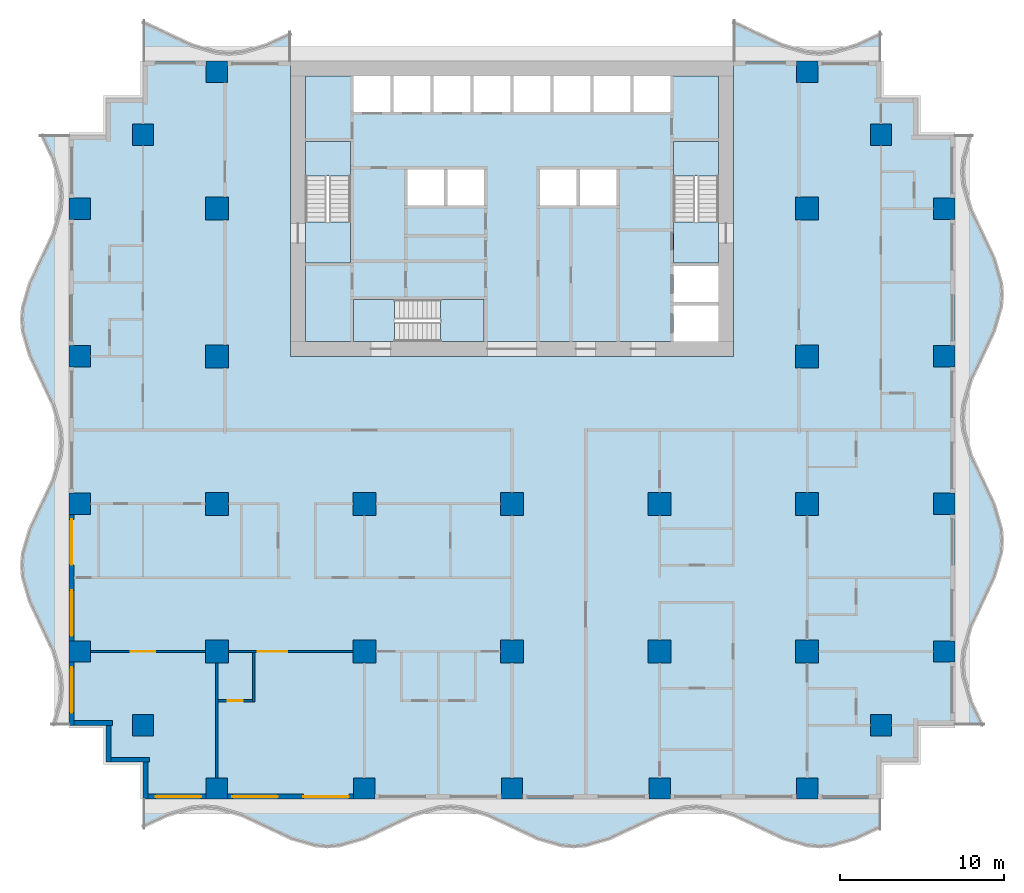
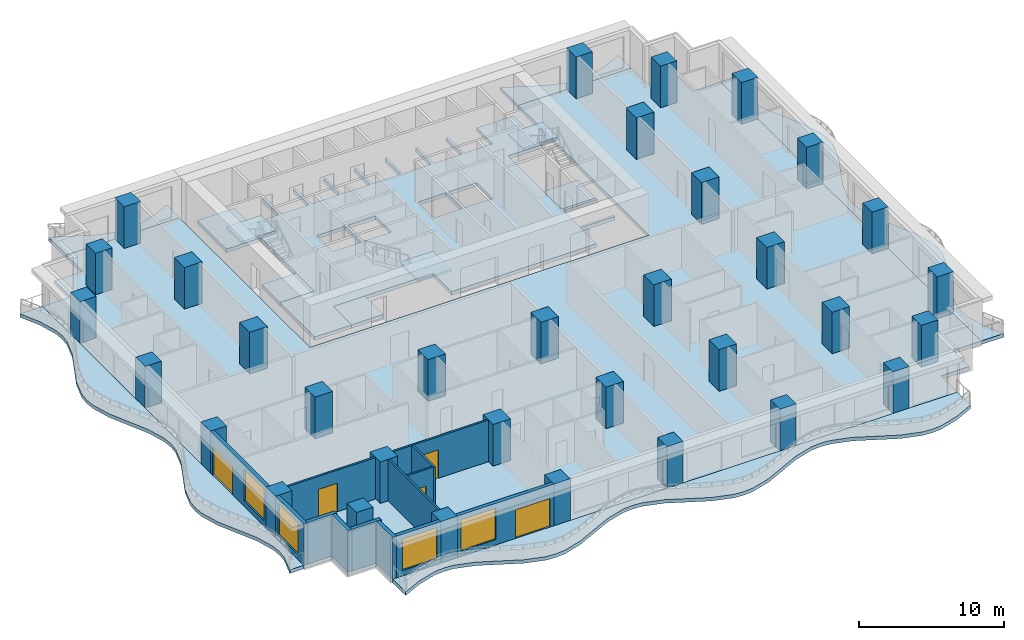
# One storey, part 1 of 13: 33 columns, 13 slabs, 13 walls, 5 doors, 4 windows, 9 openings, 3 elements without a shape of their own.
"""IFC4 building model written with IfcOpenShell, lengths in metres."""

from ifc_helpers import new_model, si_unit, direction, frame, frame_2d, origin, origin_2d, place, context, subcontext, project, spatial, polyline, rectangle, outline, extrude, material, layer, layer_set, material_profile, profile_set, type_object, element, fill, aggregate, save


model = new_model("IFC4")

# Units and contexts
model_context = context("Model", 3, precision=1e-05, world=origin(), true_north=direction((0.0, 1.0)))
body_context = subcontext(model_context, "Body", "Model", "MODEL_VIEW")
ifc_project = project(units=[si_unit("LENGTHUNIT", "METRE"), si_unit("AREAUNIT", "SQUARE_METRE"), si_unit("VOLUMEUNIT", "CUBIC_METRE"), si_unit("PLANEANGLEUNIT", "RADIAN"), si_unit("MASSUNIT", "GRAM", prefix="KILO")], contexts=[model_context])

# Site, building, storey
site_placement = place(None, origin())
site = spatial("IfcSite", under=ifc_project, at=site_placement, CompositionType="ELEMENT")
building_placement = place(site_placement, origin())
building = spatial("IfcBuilding", under=site, at=building_placement, Name="Orbiselva Terraces", CompositionType="ELEMENT")
storey_placement = place(building_placement, frame((0.0, 0.0, 92.2)))
storey = spatial("IfcBuildingStorey", under=building, at=storey_placement, Name="L23", CompositionType="ELEMENT", Elevation=92.2)

# Columns
ifc_material_1 = material(Name="Concrete C70/85", Category="concrete")
ifc_material_profile_1 = material_profile(ifc_material_1, rectangle(XDim=1.4, YDim=1.4, at=origin_2d()), Name="RC 1400x1400")
ifc_profile_set_1 = profile_set([ifc_material_profile_1], Name="Concrete C70/85")
column_type_1 = type_object("IfcColumnType", Name="COLUMN RC 1400x1400", PredefinedType="COLUMN", material=ifc_profile_set_1)
for number, where, z_axis, x_axis, name in (
    (1, (-18.0, -13.5, 0.0), (0.0, 0.0, 1.0), (1.0, 0.0, 0.0), "Column L23-01"),
    (2, (-18.0, -4.5, 0.0), (0.0, 0.0, 1.0), (1.0, 0.0, 0.0), "Column L23-03"),
    (3, (-18.0, 13.5, 0.0), (0.0, 0.0, 1.0), (1.0, 0.0, 0.0), "Column L23-04"),
    (4, (-18.0, 4.5, 0.0), (0.0, 0.0, 1.0), (1.0, 0.0, 0.0), "Column L23-06"),
    (5, (-9.0, -13.5, 0.0), (0.0, 0.0, 1.0), (1.0, 0.0, 0.0), "Column L23-13"),
    (6, (-9.0, -4.5, 0.0), (0.0, 0.0, 1.0), (1.0, 0.0, 0.0), "Column L23-15"),
    (7, (0.0, -13.5, 0.0), (0.0, 0.0, 1.0), (1.0, 0.0, 0.0), "Column L23-16"),
    (8, (0.0, -4.5, 0.0), (0.0, 0.0, 1.0), (1.0, 0.0, 0.0), "Column L23-18"),
    (9, (18.0, -13.5, 0.0), (0.0, 0.0, 1.0), (1.0, 0.0, 0.0), "Column L23-19"),
    (10, (18.0, -4.5, 0.0), (0.0, 0.0, 1.0), (1.0, 0.0, 0.0), "Column L23-21"),
    (11, (18.0, 13.5, 0.0), (0.0, 0.0, 1.0), (1.0, 0.0, 0.0), "Column L23-22"),
    (12, (18.0, 4.5, 0.0), (0.0, 0.0, 1.0), (1.0, 0.0, 0.0), "Column L23-24"),
    (13, (9.0, -13.5, 0.0), (0.0, 0.0, 1.0), (1.0, 0.0, 0.0), "Column L23-31"),
    (14, (9.0, -4.5, 0.0), (0.0, 0.0, 1.0), (1.0, 0.0, 0.0), "Column L23-33"),
):
    element("IfcColumn", number, at=place(storey_placement, frame(where, z_axis=z_axis, x_axis=x_axis)), inside=storey, type_object=column_type_1, Name=name, PredefinedType="COLUMN", context=body_context, shape_type="SweptSolid", body=[
        extrude(rectangle(XDim=1.4, YDim=1.4, at=origin_2d()), origin(), (0.0, 0.0, 1.0), 3.5),
    ])
ifc_material_profile_2 = material_profile(ifc_material_1, rectangle(XDim=1.3, YDim=1.3, at=origin_2d()), Name="RC 1300x1300")
ifc_profile_set_2 = profile_set([ifc_material_profile_2], Name="Concrete C70/85")
column_type_2 = type_object("IfcColumnType", Name="PERIMETER COLUMN RC 1300x1300", PredefinedType="COLUMN", material=ifc_profile_set_2)
for number, where, z_axis, x_axis, name in (
    (15, (-18.0, -21.85, 0.0), (0.0, 0.0, 1.0), (1.0, 0.0, 0.0), "Column L23-02"),
    (16, (-18.0, 21.85, 0.0), (0.0, 0.0, 1.0), (1.0, 0.0, 0.0), "Column L23-05"),
    (17, (-26.35, -13.5, 0.0), (0.0, 0.0, 1.0), (1.0, 0.0, 0.0), "Column L23-07"),
    (18, (-22.5, -18.0, 0.0), (0.0, 0.0, 1.0), (1.0, 0.0, 0.0), "Column L23-08"),
    (19, (-26.35, -4.5, 0.0), (0.0, 0.0, 1.0), (1.0, 0.0, 0.0), "Column L23-09"),
    (20, (-26.35, 13.5, 0.0), (0.0, 0.0, 1.0), (1.0, 0.0, 0.0), "Column L23-10"),
    (21, (-22.5, 18.0, 0.0), (0.0, 0.0, 1.0), (1.0, 0.0, 0.0), "Column L23-11"),
    (22, (-26.35, 4.5, 0.0), (0.0, 0.0, 1.0), (1.0, 0.0, 0.0), "Column L23-12"),
    (23, (-9.0, -21.85, 0.0), (0.0, 0.0, 1.0), (1.0, 0.0, 0.0), "Column L23-14"),
    (24, (0.0, -21.85, 0.0), (0.0, 0.0, 1.0), (1.0, 0.0, 0.0), "Column L23-17"),
    (25, (18.0, -21.85, 0.0), (0.0, 0.0, 1.0), (1.0, 0.0, 0.0), "Column L23-20"),
    (26, (18.0, 21.85, 0.0), (0.0, 0.0, 1.0), (1.0, 0.0, 0.0), "Column L23-23"),
    (27, (26.35, -13.5, 0.0), (0.0, 0.0, 1.0), (1.0, 0.0, 0.0), "Column L23-25"),
    (28, (22.5, -18.0, 0.0), (0.0, 0.0, 1.0), (1.0, 0.0, 0.0), "Column L23-26"),
    (29, (26.35, -4.5, 0.0), (0.0, 0.0, 1.0), (1.0, 0.0, 0.0), "Column L23-27"),
    (30, (26.35, 13.5, 0.0), (0.0, 0.0, 1.0), (1.0, 0.0, 0.0), "Column L23-28"),
    (31, (22.5, 18.0, 0.0), (0.0, 0.0, 1.0), (1.0, 0.0, 0.0), "Column L23-29"),
    (32, (26.35, 4.5, 0.0), (0.0, 0.0, 1.0), (1.0, 0.0, 0.0), "Column L23-30"),
    (33, (9.0, -21.85, 0.0), (0.0, 0.0, 1.0), (1.0, 0.0, 0.0), "Column L23-32"),
):
    element("IfcColumn", number, at=place(storey_placement, frame(where, z_axis=z_axis, x_axis=x_axis)), inside=storey, type_object=column_type_2, Name=name, PredefinedType="COLUMN", context=body_context, shape_type="SweptSolid", body=[
        extrude(rectangle(XDim=1.3, YDim=1.3, at=origin_2d()), origin(), (0.0, 0.0, 1.0), 3.5),
    ])

# Slabs
ifc_material_2 = material(Name="Concrete C40/50", Category="concrete")
ifc_layer_1 = layer(ifc_material_2, 0.3)
ifc_layer_set_1 = layer_set([ifc_layer_1], Name="Concrete C40/50")
slab_type_1 = type_object("IfcSlabType", Name="CORE-SLAB-FLOOR-300", PredefinedType="FLOOR", material=ifc_layer_set_1)
slab_1_placement = place(storey_placement, frame((0.0, 0.0, -0.3)))
element("IfcSlab", 34, at=slab_1_placement, inside=storey, type_object=slab_type_1, Name="L23 S1 floor landing", PredefinedType="FLOOR", context=body_context, shape_type="SweptSolid", body=[
    extrude(outline(polyline([(-12.6, 12.7), (-9.85, 12.7), (-9.85, 10.2), (-12.6, 10.2), (-12.6, 12.7)])), origin(), (0.0, 0.0, 1.0), 0.3),
])
slab_2_placement = place(storey_placement, frame((0.0, 0.0, -0.3)))
element("IfcSlab", 35, at=slab_2_placement, inside=storey, type_object=slab_type_1, Name="L23 S2 floor landing", PredefinedType="FLOOR", context=body_context, shape_type="SweptSolid", body=[
    extrude(outline(polyline([(12.6, 12.7), (12.6, 10.2), (9.85, 10.2), (9.85, 12.7), (12.6, 12.7)])), origin(), (0.0, 0.0, 1.0), 0.3),
])
slab_3_placement = place(storey_placement, frame((0.0, 0.0, -0.3)))
element("IfcSlab", 36, at=slab_3_placement, inside=storey, type_object=slab_type_1, Name="L23 S3 floor landing", PredefinedType="FLOOR", context=body_context, shape_type="SweptSolid", body=[
    extrude(outline(polyline([(-7.15, 5.4), (-9.65, 5.4), (-9.65, 7.95), (-7.15, 7.95), (-7.15, 5.4)])), origin(), (0.0, 0.0, 1.0), 0.3),
])
slab_4_placement = place(storey_placement, frame((0.0, 0.0, -0.3)))
element("IfcSlab", 37, at=slab_4_placement, inside=storey, type_object=slab_type_1, Name="L23 core floor slab 1", PredefinedType="FLOOR", context=body_context, shape_type="SweptSolid", body=[
    extrude(outline(polyline([(-1.7, 5.4), (-1.7, 7.95), (-9.65, 7.95), (-9.65, 5.4), (-12.6, 5.4), (-12.6, 10.2), (-9.85, 10.2), (-9.85, 17.6), (-12.6, 17.6), (-12.6, 21.6), (-9.65, 21.6), (-9.65, 19.4), (-7.4125, 19.4), (-7.4125, 21.6), (-7.2125, 21.6), (-7.2125, 19.4), (-4.975, 19.4), (-4.975, 21.6), (-4.775, 21.6), (-4.775, 19.4), (-2.5375, 19.4), (-2.5375, 21.6), (-2.3375, 21.6), (-2.3375, 19.4), (-0.1, 19.4), (-0.1, 21.6), (0.1, 21.6), (0.1, 19.4), (2.3375, 19.4), (2.3375, 21.6), (2.5375, 21.6), (2.5375, 19.4), (4.775, 19.4), (4.775, 21.6), (4.975, 21.6), (4.975, 19.4), (7.2125, 19.4), (7.2125, 21.6), (7.4125, 21.6), (7.4125, 19.4), (9.65, 19.4), (9.65, 21.6), (12.6, 21.6), (12.6, 17.6), (9.85, 17.6), (9.85, 10.2), (12.6, 10.2), (12.6, 10.0), (9.85, 10.0), (9.85, 7.8), (12.6, 7.8), (12.6, 7.6), (9.85, 7.6), (9.85, 5.4), (-1.7, 5.4)]), holes=[polyline([(-4.1375, 13.7), (-4.1375, 15.9), (-6.375, 15.9), (-6.375, 13.7), (-4.1375, 13.7)]), polyline([(-1.7, 13.7), (-1.7, 15.9), (-3.9375, 15.9), (-3.9375, 13.7), (-1.7, 13.7)]), polyline([(3.9375, 13.7), (3.9375, 15.9), (1.7, 15.9), (1.7, 13.7), (3.9375, 13.7)]), polyline([(6.375, 13.7), (6.375, 15.9), (4.1375, 15.9), (4.1375, 13.7), (6.375, 13.7)])]), origin(), (0.0, 0.0, 1.0), 0.3),
])

# Stair, slab
stair_type_1 = type_object("IfcStairType", Name="CORE-STAIR-1300", PredefinedType="HALF_TURN_STAIR", material=ifc_material_2)
stair_1_placement = place(storey_placement, origin())
stair_1 = element("IfcStair", 38, at=stair_1_placement, inside=storey, type_object=stair_type_1, Name="L23 Exit Stair S1", PredefinedType="HALF_TURN_STAIR")
ifc_layer_2 = layer(ifc_material_2, 0.2)
ifc_layer_set_2 = layer_set([ifc_layer_2], Name="Concrete C40/50")
slab_type_2 = type_object("IfcSlabType", Name="CORE-STAIR-LANDING-200", PredefinedType="LANDING", material=ifc_layer_set_2)
slab_5_placement = place(storey_placement, frame((0.0, 0.0, 1.7)))
slab_5 = element("IfcSlab", 39, at=slab_5_placement, type_object=slab_type_2, Name="S1 landing 1", PredefinedType="LANDING", context=body_context, shape_type="SweptSolid", body=[
    extrude(outline(polyline([(-9.85, 15.5), (-9.85, 17.6), (-12.6, 17.6), (-12.6, 15.5), (-9.85, 15.5)])), origin(), (0.0, 0.0, 1.0), 0.2),
])
aggregate(stair_1, [slab_5])

stair_2_placement = place(storey_placement, origin())
stair_2 = element("IfcStair", 40, at=stair_2_placement, inside=storey, type_object=stair_type_1, Name="L23 Exit Stair S2", PredefinedType="HALF_TURN_STAIR")
slab_6_placement = place(storey_placement, frame((0.0, 0.0, 1.7)))
slab_6 = element("IfcSlab", 41, at=slab_6_placement, type_object=slab_type_2, Name="S2 landing 1", PredefinedType="LANDING", context=body_context, shape_type="SweptSolid", body=[
    extrude(outline(polyline([(12.6, 15.5), (12.6, 17.6), (9.85, 17.6), (9.85, 15.5), (12.6, 15.5)])), origin(), (0.0, 0.0, 1.0), 0.2),
])
aggregate(stair_2, [slab_6])

stair_type_2 = type_object("IfcStairType", Name="CORE-STAIR-1200", PredefinedType="HALF_TURN_STAIR", material=ifc_material_2)
stair_3_placement = place(storey_placement, origin())
stair_3 = element("IfcStair", 42, at=stair_3_placement, inside=storey, type_object=stair_type_2, Name="L23 Exit Stair S3", PredefinedType="HALF_TURN_STAIR")
slab_7_placement = place(storey_placement, frame((0.0, 0.0, 1.7)))
slab_7 = element("IfcSlab", 43, at=slab_7_placement, type_object=slab_type_2, Name="S3 landing 1", PredefinedType="LANDING", context=body_context, shape_type="SweptSolid", body=[
    extrude(outline(polyline([(-4.35, 5.4), (-1.7, 5.4), (-1.7, 7.95), (-4.35, 7.95), (-4.35, 5.4)])), origin(), (0.0, 0.0, 1.0), 0.2),
])
aggregate(stair_3, [slab_7])

# Slabs
ifc_material_3 = material(Name="Concrete C50/60", Category="concrete")
ifc_layer_3 = layer(ifc_material_3, 0.3)
ifc_layer_set_3 = layer_set([ifc_layer_3], Name="Concrete C50/60")
slab_type_3 = type_object("IfcSlabType", Name="ENV-BALCONY-SLAB-300", PredefinedType="FLOOR", material=ifc_layer_set_3)
slab_8_placement = place(storey_placement, frame((0.0, 0.0, -0.3)))
element("IfcSlab", 44, at=slab_8_placement, inside=storey, type_object=slab_type_3, Name="Balcony slab L23 S", PredefinedType="FLOOR", context=body_context, shape_type="SweptSolid", body=[
    extrude(outline(polyline([(-22.5, -24.3), (-21.0, -23.594658), (-19.5, -23.158732), (-18.75, -23.1), (-18.0, -23.158732), (-16.5, -23.594658), (-13.5, -25.005342), (-12.0, -25.441268), (-11.25, -25.5), (-10.5, -25.441268), (-9.0, -25.005342), (-6.0, -23.594658), (-4.5, -23.158732), (-3.75, -23.1), (-3.0, -23.158732), (-1.5, -23.594658), (1.5, -25.005342), (3.0, -25.441268), (3.75, -25.5), (4.5, -25.441268), (6.0, -25.005342), (9.0, -23.594658), (10.5, -23.158732), (11.25, -23.1), (12.0, -23.158732), (13.5, -23.594658), (16.5, -25.005342), (18.0, -25.441268), (18.75, -25.5), (19.5, -25.441268), (21.0, -25.005342), (22.5, -24.3), (22.5, -22.5), (-22.5, -22.5), (-22.5, -24.3)])), origin(), (0.0, 0.0, 1.0), 0.3),
])
slab_9_placement = place(storey_placement, frame((0.0, 0.0, -0.3)))
element("IfcSlab", 45, at=slab_9_placement, inside=storey, type_object=slab_type_3, Name="Balcony slab L23 E", PredefinedType="FLOOR", context=body_context, shape_type="SweptSolid", body=[
    extrude(outline(polyline([(28.8, -18.0), (28.094658, -16.5), (27.658732, -15.0), (27.6, -14.25), (27.658732, -13.5), (28.094658, -12.0), (29.505342, -9.0), (29.941268, -7.5), (30.0, -6.75), (29.941268, -6.0), (29.505342, -4.5), (28.094658, -1.5), (27.658732, 0.0), (27.6, 0.75), (27.658732, 1.5), (28.094658, 3.0), (29.505342, 6.0), (29.941268, 7.5), (30.0, 8.25), (29.941268, 9.0), (29.505342, 10.5), (28.094658, 13.5), (27.658732, 15.0), (27.6, 15.75), (27.658732, 16.5), (28.094658, 18.0), (27.0, 18.0), (27.0, -18.0), (28.8, -18.0)])), origin(), (0.0, 0.0, 1.0), 0.3),
])
slab_10_placement = place(storey_placement, frame((0.0, 0.0, -0.3)))
element("IfcSlab", 46, at=slab_10_placement, inside=storey, type_object=slab_type_3, Name="Balcony slab L23 NE", PredefinedType="FLOOR", context=body_context, shape_type="SweptSolid", body=[
    extrude(outline(polyline([(22.5, 24.3), (21.0, 23.594658), (19.5, 23.158732), (18.75, 23.1), (18.0, 23.158732), (16.5, 23.594658), (13.5, 25.005342), (13.5, 22.5), (22.5, 22.5), (22.5, 24.3)])), origin(), (0.0, 0.0, 1.0), 0.3),
])
slab_11_placement = place(storey_placement, frame((0.0, 0.0, -0.3)))
element("IfcSlab", 47, at=slab_11_placement, inside=storey, type_object=slab_type_3, Name="Balcony slab L23 NW", PredefinedType="FLOOR", context=body_context, shape_type="SweptSolid", body=[
    extrude(outline(polyline([(-13.5, 24.3), (-15.0, 23.594658), (-16.5, 23.158732), (-17.25, 23.1), (-18.0, 23.158732), (-19.5, 23.594658), (-22.5, 25.005342), (-22.5, 22.5), (-13.5, 22.5), (-13.5, 24.3)])), origin(), (0.0, 0.0, 1.0), 0.3),
])
slab_12_placement = place(storey_placement, frame((0.0, 0.0, -0.3)))
element("IfcSlab", 48, at=slab_12_placement, inside=storey, type_object=slab_type_3, Name="Balcony slab L23 W", PredefinedType="FLOOR", context=body_context, shape_type="SweptSolid", body=[
    extrude(outline(polyline([(-28.8, 18.0), (-28.094658, 16.5), (-27.658732, 15.0), (-27.6, 14.25), (-27.658732, 13.5), (-28.094658, 12.0), (-29.505342, 9.0), (-29.941268, 7.5), (-30.0, 6.75), (-29.941268, 6.0), (-29.505342, 4.5), (-28.094658, 1.5), (-27.658732, 0.0), (-27.6, -0.75), (-27.658732, -1.5), (-28.094658, -3.0), (-29.505342, -6.0), (-29.941268, -7.5), (-30.0, -8.25), (-29.941268, -9.0), (-29.505342, -10.5), (-28.094658, -13.5), (-27.658732, -15.0), (-27.6, -15.75), (-27.658732, -16.5), (-28.094658, -18.0), (-27.0, -18.0), (-27.0, 18.0), (-28.8, 18.0)])), origin(), (0.0, 0.0, 1.0), 0.3),
])
ifc_layer_4 = layer(ifc_material_3, 0.3)
ifc_layer_set_4 = layer_set([ifc_layer_4], Name="Concrete C50/60")
slab_type_4 = type_object("IfcSlabType", Name="FLOOR SLAB 300", PredefinedType="FLOOR", material=ifc_layer_set_4)
slab_13_placement = place(storey_placement, frame((0.0, 0.0, -0.3)))
element("IfcSlab", 49, at=slab_13_placement, inside=storey, type_object=slab_type_4, Name="Floor slab L23", PredefinedType="FLOOR", context=body_context, shape_type="SweptSolid", body=[
    extrude(outline(polyline([(22.5, 22.5), (22.5, 20.25), (24.75, 20.25), (24.75, 18.0), (27.0, 18.0), (27.0, -18.0), (24.75, -18.0), (24.75, -20.25), (22.5, -20.25), (22.5, -22.5), (-22.5, -22.5), (-22.5, -20.25), (-24.75, -20.25), (-24.75, -18.0), (-27.0, -18.0), (-27.0, 18.0), (-24.75, 18.0), (-24.75, 20.25), (-22.5, 20.25), (-22.5, 22.5), (-13.5, 22.5), (-13.5, 4.5), (13.5, 4.5), (13.5, 22.5), (22.5, 22.5)])), origin(), (0.0, 0.0, 1.0), 0.3),
])

# Wall, opening, window
ifc_material_4 = material(Name="Terracotta cladding on masonry backing", Category="masonry")
ifc_layer_5 = layer(ifc_material_4, 0.3)
ifc_layer_set_5 = layer_set([ifc_layer_5], Name="Terracotta cladding on masonry backing")
wall_type_1 = type_object("IfcWallType", Name="ENV-WALL-TERRACOTTA-300", PredefinedType="SOLIDWALL", material=ifc_layer_set_5)
wall_1_placement = place(storey_placement, frame((-18.65, -22.35, 0.0), z_axis=(0.0, 0.0, 1.0), x_axis=(-1.0, 0.0, 0.0)))
wall_1 = element("IfcWall", 50, at=wall_1_placement, inside=storey, type_object=wall_type_1, Name="Facade wall L23 S", PredefinedType="SOLIDWALL", context=body_context, shape_type="SweptSolid", body=[
    extrude(rectangle(XDim=3.55, YDim=0.3, at=frame_2d((1.775, 0.0))), origin(), (0.0, 0.0, 1.0), 3.5),
])
opening_1_placement = place(wall_1_placement, frame((0.3, 0.0, 0.45)))
opening_1 = element("IfcOpeningElement", 51, at=opening_1_placement, cuts=wall_1, Name="Opening WN6", PredefinedType="OPENING", context=body_context, shape_type="SweptSolid", body=[
    extrude(rectangle(XDim=2.775, YDim=2.65, at=frame_2d((1.3875, 1.325))), frame((0.0, 0.16, 0.0), z_axis=(0.0, -1.0, 0.0), x_axis=(1.0, 0.0, 0.0)), (0.0, 0.0, 1.0), 0.32),
])
ifc_material_5 = material(Name="Clear low-e glazing in aluminium frame", Category="aluminium")
window_type = type_object("IfcWindowType", Name="WINDOW 2775 X 2650 S450", PartitioningType="TRIPLE_PANEL_VERTICAL", PredefinedType="WINDOW", material=ifc_material_5)
window_1_placement = place(opening_1_placement, origin())
window_1 = element("IfcWindow", 52, at=window_1_placement, inside=storey, type_object=window_type, Name="Window L23 S", OverallHeight=2.65, OverallWidth=2.775, PartitioningType="SINGLE_PANEL", PredefinedType="WINDOW", context=body_context, shape_type="SweptSolid", body=[
    extrude(rectangle(XDim=2.775, YDim=2.65, at=frame_2d((1.3875, 1.325))), frame((0.0, 0.03, 0.0), z_axis=(0.0, -1.0, 0.0), x_axis=(1.0, 0.0, 0.0)), (0.0, 0.0, 1.0), 0.06),
])
fill(opening_1, window_1)

# Wall, openings, door, window
wall_2_placement = place(storey_placement, frame((-9.65, -22.35, 0.0), z_axis=(0.0, 0.0, 1.0), x_axis=(-1.0, 0.0, 0.0)))
wall_2 = element("IfcWall", 53, at=wall_2_placement, inside=storey, type_object=wall_type_1, Name="Facade wall L23 S", PredefinedType="SOLIDWALL", context=body_context, shape_type="SweptSolid", body=[
    extrude(rectangle(XDim=7.7, YDim=0.3, at=frame_2d((3.85, 0.0))), origin(), (0.0, 0.0, 1.0), 3.5),
])
opening_2_placement = place(wall_2_placement, frame((4.625, 0.0, 0.45)))
opening_2 = element("IfcOpeningElement", 54, at=opening_2_placement, cuts=wall_2, Name="Opening WN6", PredefinedType="OPENING", context=body_context, shape_type="SweptSolid", body=[
    extrude(rectangle(XDim=2.775, YDim=2.65, at=frame_2d((1.3875, 1.325))), frame((0.0, 0.16, 0.0), z_axis=(0.0, -1.0, 0.0), x_axis=(1.0, 0.0, 0.0)), (0.0, 0.0, 1.0), 0.32),
])
opening_3_placement = place(wall_2_placement, frame((0.3, 0.0, 0.0)))
opening_3 = element("IfcOpeningElement", 55, at=opening_3_placement, cuts=wall_2, Name="Opening Z2-C-E01", PredefinedType="OPENING", context=body_context, shape_type="SweptSolid", body=[
    extrude(rectangle(XDim=2.775, YDim=2.4, at=frame_2d((1.3875, 1.2))), frame((0.0, 0.16, 0.0), z_axis=(0.0, -1.0, 0.0), x_axis=(1.0, 0.0, 0.0)), (0.0, 0.0, 1.0), 0.32),
])
door_type_1 = type_object("IfcDoorType", Name="BALCONY DOOR 2775 X 2400", OperationType="DOUBLE_DOOR_SLIDING", PredefinedType="DOOR", material=ifc_material_5)
door_1_placement = place(opening_3_placement, origin())
door_1 = element("IfcDoor", 56, at=door_1_placement, inside=storey, type_object=door_type_1, Name="Z2-C-E01", OperationType="SINGLE_SWING_LEFT", OverallHeight=2.4, OverallWidth=2.775, PredefinedType="DOOR", context=body_context, shape_type="SweptSolid", body=[
    extrude(rectangle(XDim=2.775, YDim=2.4, at=frame_2d((1.3875, 1.2))), frame((0.0, 0.025, 0.0), z_axis=(0.0, -1.0, 0.0), x_axis=(1.0, 0.0, 0.0)), (0.0, 0.0, 1.0), 0.05),
])
fill(opening_3, door_1)
window_2_placement = place(opening_2_placement, origin())
window_2 = element("IfcWindow", 57, at=window_2_placement, inside=storey, type_object=window_type, Name="Window L23 S", OverallHeight=2.65, OverallWidth=2.775, PartitioningType="SINGLE_PANEL", PredefinedType="WINDOW", context=body_context, shape_type="SweptSolid", body=[
    extrude(rectangle(XDim=2.775, YDim=2.65, at=frame_2d((1.3875, 1.325))), frame((0.0, 0.03, 0.0), z_axis=(0.0, -1.0, 0.0), x_axis=(1.0, 0.0, 0.0)), (0.0, 0.0, 1.0), 0.06),
])
fill(opening_2, window_2)

wall_3_placement = place(storey_placement, frame((-26.85, -12.85, 0.0), z_axis=(0.0, 0.0, 1.0), x_axis=(0.0, 1.0, 0.0)))
wall_3 = element("IfcWall", 58, at=wall_3_placement, inside=storey, type_object=wall_type_1, Name="Facade wall L23 W", PredefinedType="SOLIDWALL", context=body_context, shape_type="SweptSolid", body=[
    extrude(rectangle(XDim=7.7, YDim=0.3, at=frame_2d((3.85, 0.0))), origin(), (0.0, 0.0, 1.0), 3.5),
])
opening_4_placement = place(wall_3_placement, frame((4.625, 0.0, 0.0)))
opening_4 = element("IfcOpeningElement", 59, at=opening_4_placement, cuts=wall_3, Name="Opening Z2-C-E09", PredefinedType="OPENING", context=body_context, shape_type="SweptSolid", body=[
    extrude(rectangle(XDim=2.775, YDim=2.4, at=frame_2d((1.3875, 1.2))), frame((0.0, 0.16, 0.0), z_axis=(0.0, -1.0, 0.0), x_axis=(1.0, 0.0, 0.0)), (0.0, 0.0, 1.0), 0.32),
])
opening_5_placement = place(wall_3_placement, frame((0.3, 0.0, 0.45)))
opening_5 = element("IfcOpeningElement", 60, at=opening_5_placement, cuts=wall_3, Name="Opening WN6", PredefinedType="OPENING", context=body_context, shape_type="SweptSolid", body=[
    extrude(rectangle(XDim=2.775, YDim=2.65, at=frame_2d((1.3875, 1.325))), frame((0.0, 0.16, 0.0), z_axis=(0.0, -1.0, 0.0), x_axis=(1.0, 0.0, 0.0)), (0.0, 0.0, 1.0), 0.32),
])
door_2_placement = place(opening_4_placement, origin())
door_2 = element("IfcDoor", 61, at=door_2_placement, inside=storey, type_object=door_type_1, Name="Z2-C-E09", OperationType="SINGLE_SWING_LEFT", OverallHeight=2.4, OverallWidth=2.775, PredefinedType="DOOR", context=body_context, shape_type="SweptSolid", body=[
    extrude(rectangle(XDim=2.775, YDim=2.4, at=frame_2d((1.3875, 1.2))), frame((0.0, 0.025, 0.0), z_axis=(0.0, -1.0, 0.0), x_axis=(1.0, 0.0, 0.0)), (0.0, 0.0, 1.0), 0.05),
])
fill(opening_4, door_2)
window_3_placement = place(opening_5_placement, origin())
window_3 = element("IfcWindow", 62, at=window_3_placement, inside=storey, type_object=window_type, Name="Window L23 W", OverallHeight=2.65, OverallWidth=2.775, PartitioningType="SINGLE_PANEL", PredefinedType="WINDOW", context=body_context, shape_type="SweptSolid", body=[
    extrude(rectangle(XDim=2.775, YDim=2.65, at=frame_2d((1.3875, 1.325))), frame((0.0, 0.03, 0.0), z_axis=(0.0, -1.0, 0.0), x_axis=(1.0, 0.0, 0.0)), (0.0, 0.0, 1.0), 0.06),
])
fill(opening_5, window_3)

# Wall, opening, window
wall_4_placement = place(storey_placement, frame((-26.85, -18.0, 0.0), z_axis=(0.0, 0.0, 1.0), x_axis=(0.0, 1.0, 0.0)))
wall_4 = element("IfcWall", 63, at=wall_4_placement, inside=storey, type_object=wall_type_1, Name="Facade wall L23 W", PredefinedType="SOLIDWALL", context=body_context, shape_type="SweptSolid", body=[
    extrude(rectangle(XDim=3.85, YDim=0.3, at=frame_2d((1.925, 0.0))), origin(), (0.0, 0.0, 1.0), 3.5),
])
opening_6_placement = place(wall_4_placement, frame((0.775, 0.0, 0.45)))
opening_6 = element("IfcOpeningElement", 64, at=opening_6_placement, cuts=wall_4, Name="Opening WN6", PredefinedType="OPENING", context=body_context, shape_type="SweptSolid", body=[
    extrude(rectangle(XDim=2.775, YDim=2.65, at=frame_2d((1.3875, 1.325))), frame((0.0, 0.16, 0.0), z_axis=(0.0, -1.0, 0.0), x_axis=(1.0, 0.0, 0.0)), (0.0, 0.0, 1.0), 0.32),
])
window_4_placement = place(opening_6_placement, origin())
window_4 = element("IfcWindow", 65, at=window_4_placement, inside=storey, type_object=window_type, Name="Window L23 W", OverallHeight=2.65, OverallWidth=2.775, PartitioningType="SINGLE_PANEL", PredefinedType="WINDOW", context=body_context, shape_type="SweptSolid", body=[
    extrude(rectangle(XDim=2.775, YDim=2.65, at=frame_2d((1.3875, 1.325))), frame((0.0, 0.03, 0.0), z_axis=(0.0, -1.0, 0.0), x_axis=(1.0, 0.0, 0.0)), (0.0, 0.0, 1.0), 0.06),
])
fill(opening_6, window_4)

# Walls
wall_5_placement = place(storey_placement, frame((-24.35, -17.85, 0.0), z_axis=(0.0, 0.0, 1.0), x_axis=(-1.0, 0.0, 0.0)))
element("IfcWall", 66, at=wall_5_placement, inside=storey, type_object=wall_type_1, Name="Facade wall L23 STEP", PredefinedType="SOLIDWALL", context=body_context, shape_type="SweptSolid", body=[
    extrude(rectangle(XDim=2.35, YDim=0.3, at=frame_2d((1.175, 0.0))), origin(), (0.0, 0.0, 1.0), 3.5),
])
wall_6_placement = place(storey_placement, frame((-24.6, -20.25, 0.0), z_axis=(0.0, 0.0, 1.0), x_axis=(0.0, 1.0, 0.0)))
element("IfcWall", 67, at=wall_6_placement, inside=storey, type_object=wall_type_1, Name="Facade wall L23 STEP", PredefinedType="SOLIDWALL", context=body_context, shape_type="SweptSolid", body=[
    extrude(rectangle(XDim=2.25, YDim=0.3, at=frame_2d((1.125, 0.0))), origin(), (0.0, 0.0, 1.0), 3.5),
])
wall_7_placement = place(storey_placement, frame((-22.1, -20.1, 0.0), z_axis=(0.0, 0.0, 1.0), x_axis=(-1.0, 0.0, 0.0)))
element("IfcWall", 68, at=wall_7_placement, inside=storey, type_object=wall_type_1, Name="Facade wall L23 STEP", PredefinedType="SOLIDWALL", context=body_context, shape_type="SweptSolid", body=[
    extrude(rectangle(XDim=2.35, YDim=0.3, at=frame_2d((1.175, 0.0))), origin(), (0.0, 0.0, 1.0), 3.5),
])
wall_8_placement = place(storey_placement, frame((-22.35, -22.5, 0.0), z_axis=(0.0, 0.0, 1.0), x_axis=(0.0, 1.0, 0.0)))
element("IfcWall", 69, at=wall_8_placement, inside=storey, type_object=wall_type_1, Name="Facade wall L23 STEP", PredefinedType="SOLIDWALL", context=body_context, shape_type="SweptSolid", body=[
    extrude(rectangle(XDim=2.25, YDim=0.3, at=frame_2d((1.125, 0.0))), origin(), (0.0, 0.0, 1.0), 3.5),
])

# Wall, opening, door
ifc_material_6 = material(Name="Plasterboard on steel stud partition", Category="steel")
ifc_layer_6 = layer(ifc_material_6, 0.15)
ifc_layer_set_6 = layer_set([ifc_layer_6], Name="Plasterboard on steel stud partition")
wall_type_2 = type_object("IfcWallType", Name="UNIT-PARTITION-150", PredefinedType="PARTITIONING", material=ifc_layer_set_6)
wall_9_placement = place(storey_placement, frame((-17.925, -16.5, 0.0), z_axis=(0.0, 0.0, 1.0), x_axis=(1.0, 0.0, 0.0)))
wall_9 = element("IfcWall", 70, at=wall_9_placement, inside=storey, type_object=wall_type_2, Name="PARTITION L23-004", PredefinedType="PARTITIONING", context=body_context, shape_type="SweptSolid", body=[
    extrude(rectangle(XDim=2.1, YDim=0.15, at=frame_2d((1.05, 0.0))), origin(), (0.0, 0.0, 1.0), 3.5),
])
opening_7_placement = place(wall_9_placement, frame((0.6, 0.0, 0.0)))
opening_7 = element("IfcOpeningElement", 71, at=opening_7_placement, cuts=wall_9, Name="Opening Z2-C-23", PredefinedType="OPENING", context=body_context, shape_type="SweptSolid", body=[
    extrude(rectangle(XDim=0.9, YDim=2.1, at=frame_2d((0.45, 1.05))), frame((0.0, 0.085, 0.0), z_axis=(0.0, -1.0, 0.0), x_axis=(1.0, 0.0, 0.0)), (0.0, 0.0, 1.0), 0.17),
])
ifc_material_7 = material(Name="Painted timber door leaf", Category="wood")
door_type_2 = type_object("IfcDoorType", Name="BATH DOOR 900", OperationType="NOTDEFINED", PredefinedType="DOOR", material=ifc_material_7)
door_3_placement = place(opening_7_placement, origin())
door_3 = element("IfcDoor", 72, at=door_3_placement, inside=storey, type_object=door_type_2, Name="Z2-C-23", OperationType="SINGLE_SWING_LEFT", OverallHeight=2.1, OverallWidth=0.9, PredefinedType="DOOR", context=body_context, shape_type="SweptSolid", body=[
    extrude(rectangle(XDim=0.9, YDim=2.1, at=frame_2d((0.45, 1.05))), frame((0.0, 0.025, 0.0), z_axis=(0.0, -1.0, 0.0), x_axis=(1.0, 0.0, 0.0)), (0.0, 0.0, 1.0), 0.05),
])
fill(opening_7, door_3)

wall_10_placement = place(storey_placement, frame((-18.7, -13.5, 0.0), z_axis=(0.0, 0.0, 1.0), x_axis=(-1.0, 0.0, 0.0)))
wall_10 = element("IfcWall", 73, at=wall_10_placement, inside=storey, type_object=wall_type_2, Name="PARTITION L23-009", PredefinedType="PARTITIONING", context=body_context, shape_type="SweptSolid", body=[
    extrude(rectangle(XDim=7.0, YDim=0.15, at=frame_2d((3.5, 0.0))), origin(), (0.0, 0.0, 1.0), 3.5),
])
opening_8_placement = place(wall_10_placement, frame((3.05, 0.0, 0.0)))
opening_8 = element("IfcOpeningElement", 74, at=opening_8_placement, cuts=wall_10, Name="Opening Z2-C-21", PredefinedType="OPENING", context=body_context, shape_type="SweptSolid", body=[
    extrude(rectangle(XDim=1.5, YDim=2.4, at=frame_2d((0.75, 1.2))), frame((0.0, 0.085, 0.0), z_axis=(0.0, -1.0, 0.0), x_axis=(1.0, 0.0, 0.0)), (0.0, 0.0, 1.0), 0.17),
])
door_type_3 = type_object("IfcDoorType", Name="DOUBLE DOOR 1500", OperationType="NOTDEFINED", PredefinedType="DOOR", material=ifc_material_7)
door_4_placement = place(opening_8_placement, origin())
door_4 = element("IfcDoor", 75, at=door_4_placement, inside=storey, type_object=door_type_3, Name="Z2-C-21", OperationType="DOUBLE_DOOR_SINGLE_SWING", OverallHeight=2.4, OverallWidth=1.5, PredefinedType="DOOR", context=body_context, shape_type="SweptSolid", body=[
    extrude(rectangle(XDim=1.5, YDim=2.4, at=frame_2d((0.75, 1.2))), frame((0.0, 0.025, 0.0), z_axis=(0.0, -1.0, 0.0), x_axis=(1.0, 0.0, 0.0)), (0.0, 0.0, 1.0), 0.05),
])
fill(opening_8, door_4)

wall_11_placement = place(storey_placement, frame((-9.7, -13.5, 0.0), z_axis=(0.0, 0.0, 1.0), x_axis=(-1.0, 0.0, 0.0)))
wall_11 = element("IfcWall", 76, at=wall_11_placement, inside=storey, type_object=wall_type_2, Name="PARTITION L23-010", PredefinedType="PARTITIONING", context=body_context, shape_type="SweptSolid", body=[
    extrude(rectangle(XDim=7.6, YDim=0.15, at=frame_2d((3.8, 0.0))), origin(), (0.0, 0.0, 1.0), 3.5),
])
opening_9_placement = place(wall_11_placement, frame((4.0, 0.0, 0.0)))
opening_9 = element("IfcOpeningElement", 77, at=opening_9_placement, cuts=wall_11, Name="Opening Z2-C-22", PredefinedType="OPENING", context=body_context, shape_type="SweptSolid", body=[
    extrude(rectangle(XDim=1.8, YDim=2.4, at=frame_2d((0.9, 1.2))), frame((0.0, 0.085, 0.0), z_axis=(0.0, -1.0, 0.0), x_axis=(1.0, 0.0, 0.0)), (0.0, 0.0, 1.0), 0.17),
])
door_type_4 = type_object("IfcDoorType", Name="DOUBLE DOOR 1800", OperationType="NOTDEFINED", PredefinedType="DOOR", material=ifc_material_7)
door_5_placement = place(opening_9_placement, origin())
door_5 = element("IfcDoor", 78, at=door_5_placement, inside=storey, type_object=door_type_4, Name="Z2-C-22", OperationType="DOUBLE_DOOR_SINGLE_SWING", OverallHeight=2.4, OverallWidth=1.8, PredefinedType="DOOR", context=body_context, shape_type="SweptSolid", body=[
    extrude(rectangle(XDim=1.8, YDim=2.4, at=frame_2d((0.9, 1.2))), frame((0.0, 0.025, 0.0), z_axis=(0.0, -1.0, 0.0), x_axis=(1.0, 0.0, 0.0)), (0.0, 0.0, 1.0), 0.05),
])
fill(opening_9, door_5)

# Walls
wall_12_placement = place(storey_placement, frame((-18.0, -21.2, 0.0), z_axis=(0.0, 0.0, 1.0), x_axis=(0.0, 1.0, 0.0)))
element("IfcWall", 79, at=wall_12_placement, inside=storey, type_object=wall_type_2, Name="PARTITION L23-043", PredefinedType="PARTITIONING", context=body_context, shape_type="SweptSolid", body=[
    extrude(rectangle(XDim=7.0, YDim=0.15, at=frame_2d((3.5, 0.0))), origin(), (0.0, 0.0, 1.0), 3.5),
])
wall_13_placement = place(storey_placement, frame((-15.75, -16.575, 0.0), z_axis=(0.0, 0.0, 1.0), x_axis=(0.0, 1.0, 0.0)))
element("IfcWall", 80, at=wall_13_placement, inside=storey, type_object=wall_type_2, Name="PARTITION L23-048", PredefinedType="PARTITIONING", context=body_context, shape_type="SweptSolid", body=[
    extrude(rectangle(XDim=3.0, YDim=0.15, at=frame_2d((1.5, 0.0))), origin(), (0.0, 0.0, 1.0), 3.5),
])

save(model, "model.ifc")
